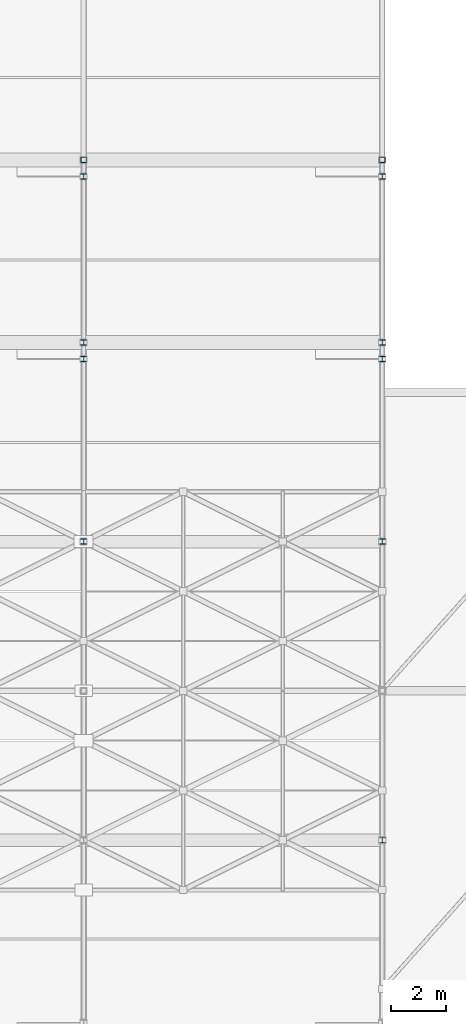
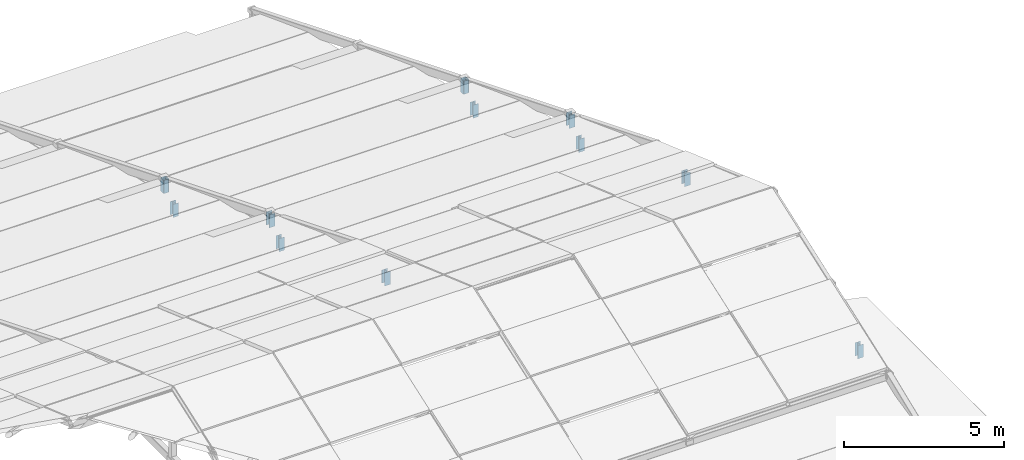
# One storey, part 93 of 112: 11 members.
"""IFC4 building model written with IfcOpenShell, lengths in metres."""

import ifcopenshell
import ifcopenshell.guid

model = None  # the IFC model being written
_history = None  # IfcOwnerHistory: only IFC2X3 demands one
_inside = {}  # id of a spatial element -> (the spatial element, [elements in it])
_under = {}  # id of a project, library or spatial element -> (it, [spatial elements below it])
_declared = {}  # id of a project -> (the project, [libraries it declares])
_typed = {}  # id of a type object -> (the type object, [elements of that type])
_made_of = {}  # id of a material, layer set ... -> (it, [elements and type objects made of it])


def new_model(schema):
    """Start an empty IFC model of exactly this schema.

    Asked for "IFC4X3", IfcOpenShell would pick the latest addendum, in which some entities
    have other attributes; the version numbers below select the first issue.
    IFC2X3 requires an IfcOwnerHistory on every rooted entity: one is made here for all.
    """
    global model, _history
    if schema == "IFC4X3":
        model = ifcopenshell.file(schema_version=(4, 3, 0, 0))
    else:
        model = ifcopenshell.file(schema=schema)
    _inside.clear()
    _under.clear()
    _declared.clear()
    _typed.clear()
    _made_of.clear()
    _history = None
    if model.schema == "IFC2X3":
        org = make("IfcOrganization", Name="unknown")
        user = make(
            "IfcPersonAndOrganization",
            ThePerson=make("IfcPerson", FamilyName="unknown"),
            TheOrganization=org,
        )
        app = make(
            "IfcApplication",
            ApplicationDeveloper=org,
            Version="unknown",
            ApplicationFullName="unknown",
            ApplicationIdentifier="unknown",
        )
        _history = make(
            "IfcOwnerHistory",
            OwningUser=user,
            OwningApplication=app,
            ChangeAction="ADDED",
            CreationDate=0,
        )
    return model


def make(cls, **values):
    """One entity of the class cls with the attributes given. An attribute that is None is left unset."""
    return model.create_entity(
        cls, **{name: value for name, value in values.items() if value is not None}
    )


def rooted(cls, **values):
    """An entity with a GlobalId (a new one), such as an element, a storey or a relation."""
    return make(cls, GlobalId=ifcopenshell.guid.new(), OwnerHistory=_history, **values)


def si_unit(unit_type, name, prefix=None):
    """IfcSIUnit, for example si_unit("LENGTHUNIT", "METRE", prefix="MILLI")."""
    return make("IfcSIUnit", UnitType=unit_type, Prefix=prefix, Name=name)


def assignment(units):
    """IfcUnitAssignment: the units of a project."""
    return None if units is None else make("IfcUnitAssignment", Units=units)


def point(xyz):
    """IfcCartesianPoint."""
    return None if xyz is None else make("IfcCartesianPoint", Coordinates=xyz)


def direction(xyz):
    """IfcDirection."""
    return None if xyz is None else make("IfcDirection", DirectionRatios=xyz)


def frame(location, z_axis=None, x_axis=None):
    """IfcAxis2Placement3D, a coordinate frame: its origin and axes. An axis left out is left unset."""
    return make(
        "IfcAxis2Placement3D",
        Location=point(location),
        Axis=direction(z_axis),
        RefDirection=direction(x_axis),
    )


def frame_2d(location, x_axis=None):
    """IfcAxis2Placement2D, a coordinate frame in the plane: its origin and x axis."""
    return make(
        "IfcAxis2Placement2D", Location=point(location), RefDirection=direction(x_axis)
    )


def origin():
    """The frame at (0, 0, 0) with its axes left unset."""
    return frame((0.0, 0.0, 0.0))


def origin_2d():
    """The frame at (0, 0) in the plane with its x axis left unset."""
    return frame_2d((0.0, 0.0))


def place(relative_to, where):
    """IfcLocalPlacement: puts the frame where relative to a parent placement (None: the world)."""
    return make(
        "IfcLocalPlacement", PlacementRelTo=relative_to, RelativePlacement=where
    )


def context(
    kind, dimensions, precision=None, world=None, true_north=None, identifier=None
):
    """IfcGeometricRepresentationContext, for example the 3D "Model" context."""
    return make(
        "IfcGeometricRepresentationContext",
        ContextIdentifier=identifier,
        ContextType=kind,
        CoordinateSpaceDimension=dimensions,
        Precision=precision,
        WorldCoordinateSystem=world,
        TrueNorth=true_north,
    )


def subcontext(parent, identifier, kind, view, scale=None):
    """IfcGeometricRepresentationSubContext, for example "Body" below "Model"."""
    return make(
        "IfcGeometricRepresentationSubContext",
        ContextIdentifier=identifier,
        ContextType=kind,
        ParentContext=parent,
        TargetScale=scale,
        TargetView=view,
    )


def project(units=None, contexts=None):
    """IfcProject with its units and contexts."""
    return rooted(
        "IfcProject",
        Name="project",
        RepresentationContexts=contexts,
        UnitsInContext=assignment(units),
    )


def spatial(cls, under=None, at=None, **own):
    """A site, building, storey or space (cls), placed at a placement, below another one or the project."""
    s = rooted(cls, ObjectPlacement=at, **own)
    if under is not None:
        _under.setdefault(under.id(), (under, []))[1].append(s)
    return s


def profile(cls, at=None, kind="AREA", **sizes):
    """A parametric profile (cls). Its sizes go by their IFC names, for example OverallWidth=200.0."""
    return make(cls, ProfileType=kind, Position=at, **sizes)


def hollow_rectangle(**sizes):
    """IfcRectangleHollowProfileDef."""
    return profile("IfcRectangleHollowProfileDef", **sizes)


def i_section(**sizes):
    """IfcIShapeProfileDef."""
    return profile("IfcIShapeProfileDef", **sizes)


def extrude(swept, where, along, depth):
    """IfcExtrudedAreaSolid: the profile swept, set in the frame where, extruded along a direction by depth."""
    return make(
        "IfcExtrudedAreaSolid",
        SweptArea=swept,
        Position=where,
        ExtrudedDirection=direction(along),
        Depth=depth,
    )


def shape(context_of_items, identifier, shape_type, items):
    """IfcShapeRepresentation: the items that make up one representation, for example the "Body"."""
    return make(
        "IfcShapeRepresentation",
        ContextOfItems=context_of_items,
        RepresentationIdentifier=identifier,
        RepresentationType=shape_type,
        Items=items,
    )


def material(Name=None, Category=None):
    """IfcMaterial."""
    return make("IfcMaterial", Name=Name, Category=Category)


def material_profile(
    of_material, cross_section, Name=None, Category=None, Priority=None
):
    """IfcMaterialProfile: a cross section and its material."""
    return make(
        "IfcMaterialProfile",
        Name=Name,
        Material=of_material,
        Profile=cross_section,
        Priority=Priority,
        Category=Category,
    )


def profile_set(profiles, Name=None, composite=None):
    """IfcMaterialProfileSet."""
    return make(
        "IfcMaterialProfileSet",
        Name=Name,
        MaterialProfiles=profiles,
        CompositeProfile=composite,
    )


def made_of(thing, what):
    """Note that an element or type object is made of a material, layer set ...; save() writes the relation."""
    if what is not None:
        _made_of.setdefault(what.id(), (what, []))[1].append(thing)
    return thing


def type_object(cls, material=None, **own):
    """A type object (cls), such as IfcWallType, which elements share."""
    return made_of(rooted(cls, **own), material)


def element(
    cls,
    number,
    at=None,
    inside=None,
    cuts=None,
    type_object=None,
    material=None,
    context=None,
    identifier="Body",
    shape_type=None,
    held_by="IfcProductDefinitionShape",
    body=None,
    shapes=None,
    **own,
):
    """One element of the class cls, such as IfcWall. Its Tag is "e" and its number.

    at: its placement. inside: the storey or other place that contains it. cuts: it is an
    opening in that element (IfcRelVoidsElement). A single representation is given by context,
    identifier, shape_type and body (its items); several are given by shapes. held_by: the class
    of the entity that holds the representations. save() writes the other relations.
    """
    e = rooted(cls, Tag="e%d" % number, ObjectPlacement=at, **own)
    if body is not None:
        shapes = [shape(context, identifier, shape_type, body)]
    if shapes is not None:
        e.Representation = make(held_by, Representations=shapes)
    if inside is not None:
        _inside.setdefault(inside.id(), (inside, []))[1].append(e)
    if cuts is not None:
        rooted(
            "IfcRelVoidsElement", RelatingBuildingElement=cuts, RelatedOpeningElement=e
        )
    if type_object is not None:
        _typed.setdefault(type_object.id(), (type_object, []))[1].append(e)
    return made_of(e, material)


def aggregate(whole, parts):
    """IfcRelAggregates: a whole, such as a stair, and the parts it consists of."""
    return rooted("IfcRelAggregates", RelatingObject=whole, RelatedObjects=parts)


def save(model, path):
    """Write the relations noted so far, then the file.

    IfcRelAggregates (storeys below a building ...), IfcRelContainedInSpatialStructure (elements
    in a storey), IfcRelDefinesByType, IfcRelAssociatesMaterial and IfcRelDeclares: one each for
    every whole, place, type object, material and project.
    """
    for whole, parts in _under.values():
        aggregate(whole, parts)
    for where, things in _inside.values():
        rooted(
            "IfcRelContainedInSpatialStructure",
            RelatedElements=things,
            RelatingStructure=where,
        )
    for kind, things in _typed.values():
        rooted("IfcRelDefinesByType", RelatedObjects=things, RelatingType=kind)
    for what, things in _made_of.values():
        rooted("IfcRelAssociatesMaterial", RelatedObjects=things, RelatingMaterial=what)
    for by, libraries in _declared.values():
        rooted("IfcRelDeclares", RelatingContext=by, RelatedDefinitions=libraries)
    model.write(path)


model = new_model("IFC4")

# Units and contexts
model_context = context("Model", 3, precision=1e-05, world=origin(), true_north=direction((0.0, 1.0)))
body_context = subcontext(model_context, "Body", "Model", "MODEL_VIEW")
ifc_project = project(units=[si_unit("LENGTHUNIT", "METRE"), si_unit("AREAUNIT", "SQUARE_METRE"), si_unit("VOLUMEUNIT", "CUBIC_METRE"), si_unit("PLANEANGLEUNIT", "RADIAN"), si_unit("MASSUNIT", "GRAM", prefix="KILO")], contexts=[model_context])

# Site, building, storey
site_placement = place(None, origin())
site = spatial("IfcSite", under=ifc_project, at=site_placement, CompositionType="ELEMENT")
building_placement = place(site_placement, origin())
building = spatial("IfcBuilding", under=site, at=building_placement, Name="Zwinboog Wholesale Market", CompositionType="ELEMENT")
storey_placement = place(building_placement, frame((0.0, 0.0, 19.080078125)))
storey = spatial("IfcBuildingStorey", under=building, at=storey_placement, Name="Roof", CompositionType="ELEMENT", Elevation=19.080078125)

# Members
ifc_material = material(Name="Steel S355", Category="steel")
ifc_material_profile_1 = material_profile(ifc_material, hollow_rectangle(XDim=0.199951171875, YDim=0.199951171875, WallThickness=0.010009765625, InnerFilletRadius=0.010009765625, OuterFilletRadius=0.02001953125, at=origin_2d()), Name="SHS 200x200x10")
ifc_profile_set_1 = profile_set([ifc_material_profile_1], Name="Steel S355")
member_type_1 = type_object("IfcMemberType", Name="MT-04", PredefinedType="BRACE", material=ifc_profile_set_1)
for number, where, z_axis, x_axis, name in (
    (1, (162.0, 94.800048828125, -4.630126953125), (0.0, 0.0, 1.0), (1.0, 0.0, 0.0), "DB-01 (MEM-Roof-0291)"),
    (2, (172.800048828125, 94.800048828125, -4.630126953125), (0.0, 0.0, 1.0), (1.0, 0.0, 0.0), "DB-01 (MEM-Roof-0321)"),
):
    element("IfcMember", number, at=place(storey_placement, frame(where, z_axis=z_axis, x_axis=x_axis)), inside=storey, type_object=member_type_1, Name=name, PredefinedType="BRACE", context=body_context, shape_type="SweptSolid", body=[
        extrude(hollow_rectangle(XDim=0.199951171875, YDim=0.199951171875, WallThickness=0.010009765625, InnerFilletRadius=0.010009765625, OuterFilletRadius=0.02001953125, at=origin_2d()), origin(), (0.0, 0.0, 1.0), 0.5),
    ])
ifc_material_profile_2 = material_profile(ifc_material, i_section(OverallWidth=0.199951171875, OverallDepth=0.18994140625, WebThickness=0.006591796875, FlangeThickness=0.010009765625, FilletRadius=0.01806640625, at=origin_2d()), Name="HEA 200")
ifc_profile_set_2 = profile_set([ifc_material_profile_2], Name="Steel S355")
member_type_2 = type_object("IfcMemberType", Name="MT-05", PredefinedType="BRACE", material=ifc_profile_set_2)
for number, where, z_axis, x_axis, name in (
    (3, (162.0, 94.199951171875, -5.18017578125), (0.0, 0.0, 1.0), (1.0, 0.0, 0.0), "DB-02 (MEM-Roof-0289)"),
    (4, (162.0, 87.60009765625, -2.47998046875), (0.0, 0.0, 1.0), (1.0, 0.0, 0.0), "DB-02 (MEM-Roof-0292)"),
    (5, (162.0, 88.199951171875, -1.93017578125), (0.0, 0.0, 1.0), (1.0, 0.0, 0.0), "DB-02 (MEM-Roof-0294)"),
    (6, (162.0, 81.0, 0.219970703125), (0.0, 0.0, 1.0), (1.0, 0.0, 0.0), "DB-02 (MEM-Roof-0295)"),
    (7, (172.800048828125, 70.199951171875, 0.219970703125), (0.0, 0.0, 1.0), (1.0, 0.0, 0.0), "DB-02 (MEM-Roof-0312)"),
    (8, (172.800048828125, 94.199951171875, -5.18017578125), (0.0, 0.0, 1.0), (1.0, 0.0, 0.0), "DB-02 (MEM-Roof-0319)"),
    (9, (172.800048828125, 87.60009765625, -2.47998046875), (0.0, 0.0, 1.0), (1.0, 0.0, 0.0), "DB-02 (MEM-Roof-0322)"),
    (10, (172.800048828125, 88.199951171875, -1.93017578125), (0.0, 0.0, 1.0), (1.0, 0.0, 0.0), "DB-02 (MEM-Roof-0324)"),
    (11, (172.800048828125, 81.0, 0.219970703125), (0.0, 0.0, 1.0), (1.0, 0.0, 0.0), "DB-02 (MEM-Roof-0325)"),
):
    element("IfcMember", number, at=place(storey_placement, frame(where, z_axis=z_axis, x_axis=x_axis)), inside=storey, type_object=member_type_2, Name=name, PredefinedType="BRACE", context=body_context, shape_type="SweptSolid", body=[
        extrude(i_section(OverallWidth=0.199951171875, OverallDepth=0.18994140625, WebThickness=0.006591796875, FlangeThickness=0.010009765625, FilletRadius=0.01806640625, at=origin_2d()), origin(), (0.0, 0.0, 1.0), 0.5),
    ])

save(model, "model.ifc")
